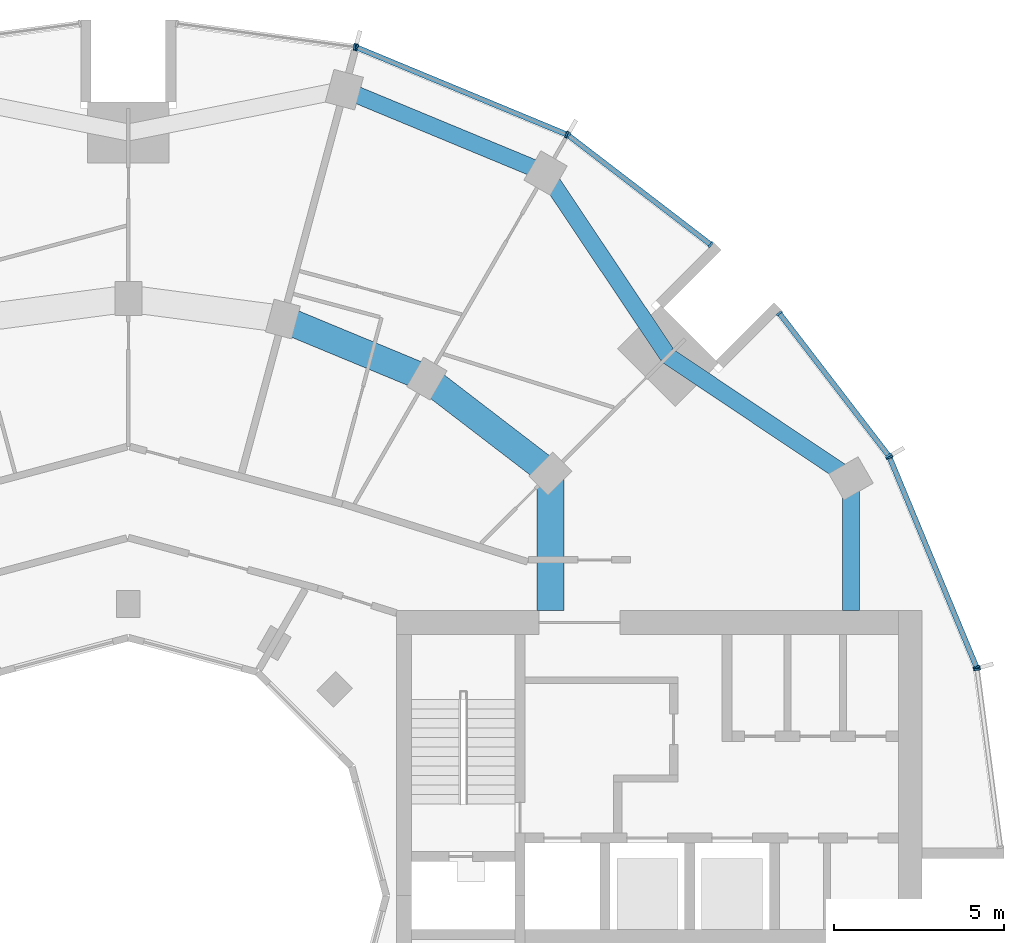
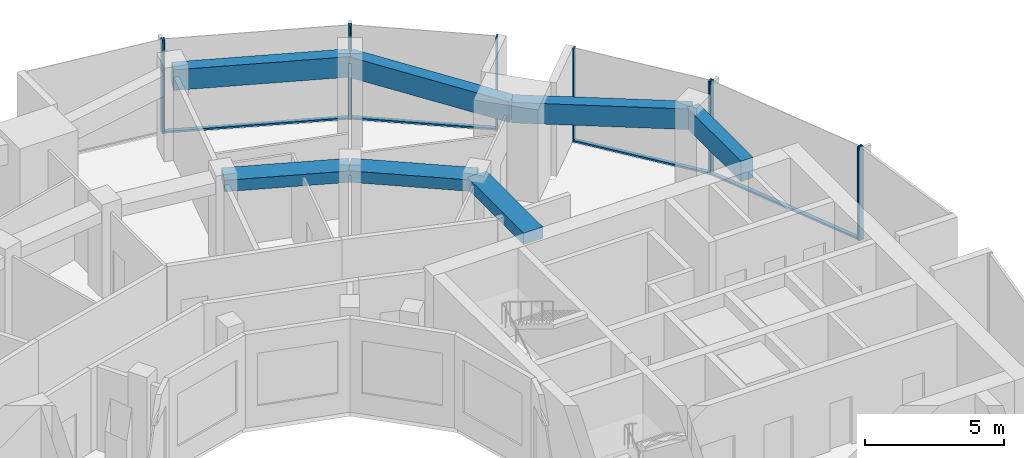
# One storey, part 6 of 15: 14 members, 7 beams, 6 elements without a shape of their own.
"""IFC4 building model written with IfcOpenShell, lengths in metres."""

from ifc_helpers import new_model, si_unit, direction, frame, origin, origin_2d, place, context, subcontext, project, spatial, rectangle, extrude, material, layer, layer_set, material_profile, profile_set, type_object, element, aggregate, save


model = new_model("IFC4")

# Units and contexts
model_context = context("Model", 3, precision=1e-05, world=origin(), true_north=direction((0.0, 1.0)))
body_context = subcontext(model_context, "Body", "Model", "MODEL_VIEW")
ifc_project = project(units=[si_unit("LENGTHUNIT", "METRE"), si_unit("AREAUNIT", "SQUARE_METRE"), si_unit("VOLUMEUNIT", "CUBIC_METRE"), si_unit("PLANEANGLEUNIT", "RADIAN"), si_unit("MASSUNIT", "GRAM", prefix="KILO")], contexts=[model_context])

# Site, building, storey
site_placement = place(None, origin())
site = spatial("IfcSite", under=ifc_project, at=site_placement, CompositionType="ELEMENT")
building_placement = place(site_placement, origin())
building = spatial("IfcBuilding", under=site, at=building_placement, Name="Torre Brocal", CompositionType="ELEMENT")
storey_placement = place(building_placement, frame((0.0, 0.0, 170.0)))
storey = spatial("IfcBuildingStorey", under=building, at=storey_placement, Name="L39", CompositionType="ELEMENT", Elevation=170.0)

# Curtain wall, members
ifc_material_1 = material(Name="Aluminium and glass", Category="aluminium")
ifc_layer_1 = layer(ifc_material_1, 0.199951171875)
ifc_layer_set_1 = layer_set([ifc_layer_1], Name="Aluminium and glass")
curtain_wall_type_1 = type_object("IfcCurtainWallType", Name="CW-1 CURTAIN WALL 4100 HIGH", PredefinedType="NOTDEFINED", material=ifc_layer_set_1)
curtain_wall_1_placement = place(storey_placement, origin())
curtain_wall_1 = element("IfcCurtainWall", 1, at=curtain_wall_1_placement, inside=storey, type_object=curtain_wall_type_1, Name="CW-1 RUN 2", PredefinedType="NOTDEFINED")
ifc_material_2 = material(Name="Aluminium, dark anodised", Category="aluminium")
ifc_material_profile_1 = material_profile(ifc_material_2, rectangle(XDim=0.199951171875, YDim=0.06005859375, at=origin_2d()), Name="CW-1 MULLION 60X200")
ifc_profile_set_1 = profile_set([ifc_material_profile_1], Name="Aluminium, dark anodised")
member_type_1 = type_object("IfcMemberType", Name="CW-1 MULLION 60X200", PredefinedType="MULLION", material=ifc_profile_set_1)
member_1_placement = place(storey_placement, frame((105.005126953125, 81.73095703125, 0.0), z_axis=(0.0, 0.0, 1.0), x_axis=(-0.923879532525, -0.382683432333, 0.0)))
member_1 = element("IfcMember", 2, at=member_1_placement, type_object=member_type_1, Name="CW1-4 mullion 1", PredefinedType="MULLION", context=body_context, shape_type="SweptSolid", body=[
    extrude(rectangle(XDim=0.199951171875, YDim=0.06005859375, at=origin_2d()), origin(), (0.0, 0.0, 1.0), 4.10009765625),
])
member_2_placement = place(storey_placement, frame((102.440673828125, 87.921875, 0.0), z_axis=(0.0, 0.0, 1.0), x_axis=(-0.923879532525, -0.382683432333, 0.0)))
member_2 = element("IfcMember", 3, at=member_2_placement, type_object=member_type_1, Name="CW1-4 mullion 2", PredefinedType="MULLION", context=body_context, shape_type="SweptSolid", body=[
    extrude(rectangle(XDim=0.199951171875, YDim=0.06005859375, at=origin_2d()), origin(), (0.0, 0.0, 1.0), 4.10009765625),
])

curtain_wall_2_placement = place(storey_placement, origin())
curtain_wall_2 = element("IfcCurtainWall", 4, at=curtain_wall_2_placement, inside=storey, type_object=curtain_wall_type_1, Name="CW-1 RUN 3", PredefinedType="NOTDEFINED")
member_3_placement = place(storey_placement, frame((102.4111328125, 87.973388671875, 0.0), z_axis=(0.0, 0.0, 1.0), x_axis=(-0.793353340259, -0.60876142905, 0.0)))
member_3 = element("IfcMember", 5, at=member_3_placement, type_object=member_type_1, Name="CW1-4 mullion 1", PredefinedType="MULLION", context=body_context, shape_type="SweptSolid", body=[
    extrude(rectangle(XDim=0.199951171875, YDim=0.06005859375, at=origin_2d()), origin(), (0.0, 0.0, 1.0), 4.10009765625),
])
member_4_placement = place(storey_placement, frame((99.19140625, 92.16943359375, 0.0), z_axis=(0.0, 0.0, 1.0), x_axis=(-0.793353340259, -0.60876142905, 0.0)))
member_4 = element("IfcMember", 6, at=member_4_placement, type_object=member_type_1, Name="CW1-4 mullion 2", PredefinedType="MULLION", context=body_context, shape_type="SweptSolid", body=[
    extrude(rectangle(XDim=0.199951171875, YDim=0.06005859375, at=origin_2d()), origin(), (0.0, 0.0, 1.0), 4.10009765625),
])

curtain_wall_3_placement = place(storey_placement, origin())
curtain_wall_3 = element("IfcCurtainWall", 7, at=curtain_wall_3_placement, inside=storey, type_object=curtain_wall_type_1, Name="CW-1 RUN 4", PredefinedType="NOTDEFINED")
member_5_placement = place(storey_placement, frame((97.16943359375, 94.19140625, 0.0), z_axis=(0.0, 0.0, 1.0), x_axis=(-0.60876142905, -0.793353340259, 0.0)))
member_5 = element("IfcMember", 8, at=member_5_placement, type_object=member_type_1, Name="CW1-4 mullion 1", PredefinedType="MULLION", context=body_context, shape_type="SweptSolid", body=[
    extrude(rectangle(XDim=0.199951171875, YDim=0.06005859375, at=origin_2d()), origin(), (0.0, 0.0, 1.0), 4.10009765625),
])
member_6_placement = place(storey_placement, frame((92.973388671875, 97.4111328125, 0.0), z_axis=(0.0, 0.0, 1.0), x_axis=(-0.60876142905, -0.793353340259, 0.0)))
member_6 = element("IfcMember", 9, at=member_6_placement, type_object=member_type_1, Name="CW1-4 mullion 2", PredefinedType="MULLION", context=body_context, shape_type="SweptSolid", body=[
    extrude(rectangle(XDim=0.199951171875, YDim=0.06005859375, at=origin_2d()), origin(), (0.0, 0.0, 1.0), 4.10009765625),
])

curtain_wall_4_placement = place(storey_placement, origin())
curtain_wall_4 = element("IfcCurtainWall", 10, at=curtain_wall_4_placement, inside=storey, type_object=curtain_wall_type_1, Name="CW-1 RUN 5", PredefinedType="NOTDEFINED")
member_7_placement = place(storey_placement, frame((92.921875, 97.440673828125, 0.0), z_axis=(0.0, 0.0, 1.0), x_axis=(-0.382683432333, -0.923879532525, 0.0)))
member_7 = element("IfcMember", 11, at=member_7_placement, type_object=member_type_1, Name="CW1-4 mullion 1", PredefinedType="MULLION", context=body_context, shape_type="SweptSolid", body=[
    extrude(rectangle(XDim=0.199951171875, YDim=0.06005859375, at=origin_2d()), origin(), (0.0, 0.0, 1.0), 4.10009765625),
])
member_8_placement = place(storey_placement, frame((86.73095703125, 100.005126953125, 0.0), z_axis=(0.0, 0.0, 1.0), x_axis=(-0.382683432333, -0.923879532525, 0.0)))
member_8 = element("IfcMember", 12, at=member_8_placement, type_object=member_type_1, Name="CW1-4 mullion 2", PredefinedType="MULLION", context=body_context, shape_type="SweptSolid", body=[
    extrude(rectangle(XDim=0.199951171875, YDim=0.06005859375, at=origin_2d()), origin(), (0.0, 0.0, 1.0), 4.10009765625),
])

# Curtain wall, member
curtain_wall_5_placement = place(storey_placement, origin())
curtain_wall_5 = element("IfcCurtainWall", 13, at=curtain_wall_5_placement, inside=storey, type_object=curtain_wall_type_1, Name="CW-1 RUN 6", PredefinedType="NOTDEFINED")
member_9_placement = place(storey_placement, frame((86.67333984375, 100.0205078125, 0.0), z_axis=(0.0, 0.0, 1.0), x_axis=(-0.13052619222, -0.991444861374, 0.0)))
member_9 = element("IfcMember", 14, at=member_9_placement, type_object=member_type_1, Name="CW1-4 mullion 1", PredefinedType="MULLION", context=body_context, shape_type="SweptSolid", body=[
    extrude(rectangle(XDim=0.199951171875, YDim=0.06005859375, at=origin_2d()), origin(), (0.0, 0.0, 1.0), 4.10009765625),
])
aggregate(curtain_wall_5, [member_9])

# Member
ifc_material_3 = material(Name="Aluminium, dark anodised", Category="aluminium")
ifc_material_profile_2 = material_profile(ifc_material_3, rectangle(XDim=0.159912109375, YDim=0.080078125, at=origin_2d()), Name="CW-1 TRANSOM 160X80")
ifc_profile_set_2 = profile_set([ifc_material_profile_2], Name="Aluminium, dark anodised")
member_type_2 = type_object("IfcMemberType", Name="CW-1 TRANSOM 160X80", PredefinedType="USERDEFINED", material=ifc_profile_set_2)
member_10_placement = place(storey_placement, frame((104.99365234375, 81.758544921875, 0.0400390625), z_axis=(-0.38266457234, 0.923887344364, 0.0), x_axis=(-0.923887344364, -0.38266457234, 0.0)))
member_10 = element("IfcMember", 15, at=member_10_placement, type_object=member_type_2, Name="CW1-4 transom 1.1", ObjectType="TRANSOM", PredefinedType="USERDEFINED", context=body_context, shape_type="SweptSolid", body=[
    extrude(rectangle(XDim=0.159912109375, YDim=0.080078125, at=origin_2d()), origin(), (0.0, 0.0, 1.0), 6.640869140625),
])

aggregate(curtain_wall_1, [member_1, member_2, member_10])

member_11_placement = place(storey_placement, frame((102.392822265625, 87.9970703125, 0.0400390625), z_axis=(-0.60874908096, 0.79336281513, 0.0), x_axis=(-0.79336281513, -0.60874908096, 0.0)))
member_11 = element("IfcMember", 16, at=member_11_placement, type_object=member_type_2, Name="CW1-4 transom 1.1", ObjectType="TRANSOM", PredefinedType="USERDEFINED", context=body_context, shape_type="SweptSolid", body=[
    extrude(rectangle(XDim=0.159912109375, YDim=0.080078125, at=origin_2d()), origin(), (0.0, 0.0, 1.0), 5.22900390625),
])

aggregate(curtain_wall_2, [member_3, member_4, member_11])

member_12_placement = place(storey_placement, frame((97.1455078125, 94.209716796875, 0.0400390625), z_axis=(-0.79336281513, 0.60874908096, 0.0), x_axis=(-0.60874908096, -0.79336281513, 0.0)))
member_12 = element("IfcMember", 17, at=member_12_placement, type_object=member_type_2, Name="CW1-4 transom 1.1", ObjectType="TRANSOM", PredefinedType="USERDEFINED", context=body_context, shape_type="SweptSolid", body=[
    extrude(rectangle(XDim=0.159912109375, YDim=0.080078125, at=origin_2d()), origin(), (0.0, 0.0, 1.0), 5.22900390625),
])

aggregate(curtain_wall_3, [member_5, member_6, member_12])

member_13_placement = place(storey_placement, frame((92.89404296875, 97.452392578125, 0.0400390625), z_axis=(-0.923887344364, 0.38266457234, 0.0), x_axis=(-0.38266457234, -0.923887344364, 0.0)))
member_13 = element("IfcMember", 18, at=member_13_placement, type_object=member_type_2, Name="CW1-4 transom 1.1", ObjectType="TRANSOM", PredefinedType="USERDEFINED", context=body_context, shape_type="SweptSolid", body=[
    extrude(rectangle(XDim=0.159912109375, YDim=0.080078125, at=origin_2d()), origin(), (0.0, 0.0, 1.0), 6.640869140625),
])

aggregate(curtain_wall_4, [member_7, member_8, member_13])

# Curtain wall, member
ifc_material_4 = material(Name="Aluminium and glass", Category="aluminium")
ifc_layer_2 = layer(ifc_material_4, 0.199951171875)
ifc_layer_set_2 = layer_set([ifc_layer_2], Name="Aluminium and glass")
curtain_wall_type_2 = type_object("IfcCurtainWallType", Name="CW-1B CURTAIN WALL 4100 HIGH", PredefinedType="NOTDEFINED", material=ifc_layer_set_2)
curtain_wall_6_placement = place(storey_placement, origin())
curtain_wall_6 = element("IfcCurtainWall", 19, at=curtain_wall_6_placement, inside=storey, type_object=curtain_wall_type_2, Name="CW-1B RUN 1", PredefinedType="NOTDEFINED")
ifc_material_5 = material(Name="Aluminium, dark anodised", Category="aluminium")
ifc_material_profile_3 = material_profile(ifc_material_5, rectangle(XDim=0.199951171875, YDim=0.06005859375, at=origin_2d()), Name="CW-1B MULLION 60X200")
ifc_profile_set_3 = profile_set([ifc_material_profile_3], Name="Aluminium, dark anodised")
member_type_3 = type_object("IfcMemberType", Name="CW-1B MULLION 60X200", PredefinedType="MULLION", material=ifc_profile_set_3)
member_14_placement = place(storey_placement, frame((105.0205078125, 81.67333984375, 0.0), z_axis=(0.0, 0.0, 1.0), x_axis=(-0.991444861374, -0.13052619222, 0.0)))
member_14 = element("IfcMember", 20, at=member_14_placement, type_object=member_type_3, Name="CW1B-4 mullion 2", PredefinedType="MULLION", context=body_context, shape_type="SweptSolid", body=[
    extrude(rectangle(XDim=0.199951171875, YDim=0.06005859375, at=origin_2d()), origin(), (0.0, 0.0, 1.0), 4.10009765625),
])
aggregate(curtain_wall_6, [member_14])

# Beams
ifc_material_6 = material(Name="Concrete C50", Category="concrete")
ifc_material_profile_4 = material_profile(ifc_material_6, rectangle(XDim=0.800048828125, YDim=0.5, at=origin_2d()), Name="RC 800X500")
ifc_profile_set_4 = profile_set([ifc_material_profile_4], Name="Concrete C50")
beam_type_1 = type_object("IfcBeamType", Name="RC BEAM 800X500 C50 TOP 3780", PredefinedType="BEAM", material=ifc_profile_set_4)
beam_1_placement = place(storey_placement, frame((92.445068359375, 87.445068359375, 3.530029296875), z_axis=(-0.793358265959, 0.6087550097, 0.0), x_axis=(-0.6087550097, -0.793358265959, 0.0)))
element("IfcBeam", 21, at=beam_1_placement, inside=storey, type_object=beam_type_1, Name="Beam BT-32", PredefinedType="BEAM", context=body_context, shape_type="SweptSolid", body=[
    extrude(rectangle(XDim=0.800048828125, YDim=0.5, at=origin_2d()), origin(), (0.0, 0.0, 1.0), 4.594482421875),
])
beam_2_placement = place(storey_placement, frame((88.800048828125, 90.241943359375, 3.530029296875), z_axis=(-0.923878240166, 0.382686552348, 0.0), x_axis=(-0.382686552348, -0.923878240166, 0.0)))
element("IfcBeam", 22, at=beam_2_placement, inside=storey, type_object=beam_type_1, Name="Beam BT-32", PredefinedType="BEAM", context=body_context, shape_type="SweptSolid", body=[
    extrude(rectangle(XDim=0.800048828125, YDim=0.5, at=origin_2d()), origin(), (0.0, 0.0, 1.0), 4.5947265625),
])
beam_3_placement = place(storey_placement, frame((92.445068359375, 87.445068359375, 3.530029296875), z_axis=(0.0, -1.0, 0.0), x_axis=(1.0, 0.0, 0.0)))
element("IfcBeam", 23, at=beam_3_placement, inside=storey, type_object=beam_type_1, Name="Beam BT-32", PredefinedType="BEAM", context=body_context, shape_type="SweptSolid", body=[
    extrude(rectangle(XDim=0.800048828125, YDim=0.5, at=origin_2d()), origin(), (0.0, 0.0, 1.0), 4.045166015625),
])
ifc_material_7 = material(Name="Concrete C50", Category="concrete")
ifc_material_profile_5 = material_profile(ifc_material_7, rectangle(XDim=0.5, YDim=0.89990234375, at=origin_2d()), Name="RC 500X900")
ifc_profile_set_5 = profile_set([ifc_material_profile_5], Name="Concrete C50")
beam_type_2 = type_object("IfcBeamType", Name="RC SPANDREL BEAM 500X900 C50 TOP 3780", PredefinedType="SPANDREL", material=ifc_profile_set_5)
for number, where, z_axis, x_axis, name in (
    (24, (101.30419921875, 87.300048828125, 3.330078125), (-0.831076844476, 0.556157602282, 0.0), (-0.556157602282, -0.831076844476, 0.0), "Beam BT-33"),
    (25, (95.909912109375, 90.909912109375, 3.330078125), (-0.556157602282, 0.831076844476, 0.0), (-0.831076844476, -0.556157602282, 0.0), "Beam BT-33"),
):
    element("IfcBeam", number, at=place(storey_placement, frame(where, z_axis=z_axis, x_axis=x_axis)), inside=storey, type_object=beam_type_2, Name=name, PredefinedType="SPANDREL", context=body_context, shape_type="SweptSolid", body=[
        extrude(rectangle(XDim=0.5, YDim=0.89990234375, at=origin_2d()), origin(), (0.0, 0.0, 1.0), 6.49072265625),
    ])
beam_4_placement = place(storey_placement, frame((92.300048828125, 96.30419921875, 3.330078125), z_axis=(-0.923882462513, 0.382676358639, 0.0), x_axis=(-0.382676358639, -0.923882462513, 0.0)))
element("IfcBeam", 26, at=beam_4_placement, inside=storey, type_object=beam_type_2, Name="Beam BT-33", PredefinedType="SPANDREL", context=body_context, shape_type="SweptSolid", body=[
    extrude(rectangle(XDim=0.5, YDim=0.89990234375, at=origin_2d()), origin(), (0.0, 0.0, 1.0), 6.421875),
])
beam_5_placement = place(storey_placement, frame((101.30419921875, 87.300048828125, 3.330078125), z_axis=(0.0, -1.0, 0.0), x_axis=(1.0, 0.0, 0.0)))
element("IfcBeam", 27, at=beam_5_placement, inside=storey, type_object=beam_type_2, Name="Beam BT-33", PredefinedType="SPANDREL", context=body_context, shape_type="SweptSolid", body=[
    extrude(rectangle(XDim=0.5, YDim=0.89990234375, at=origin_2d()), origin(), (0.0, 0.0, 1.0), 3.900146484375),
])

save(model, "model.ifc")
